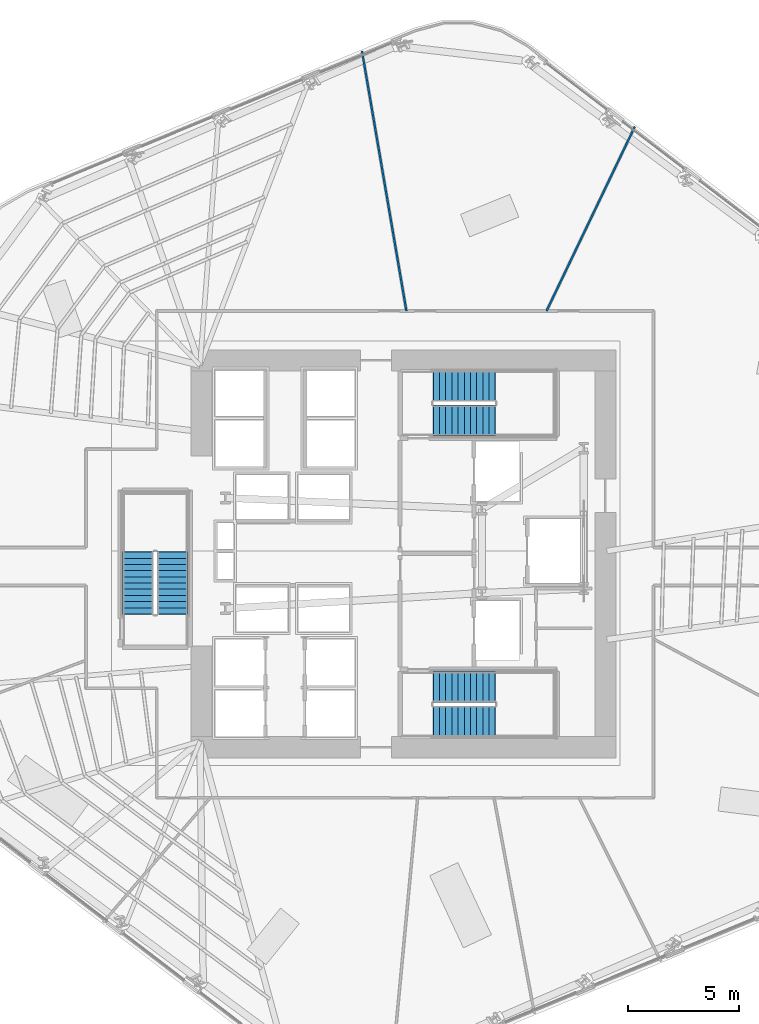
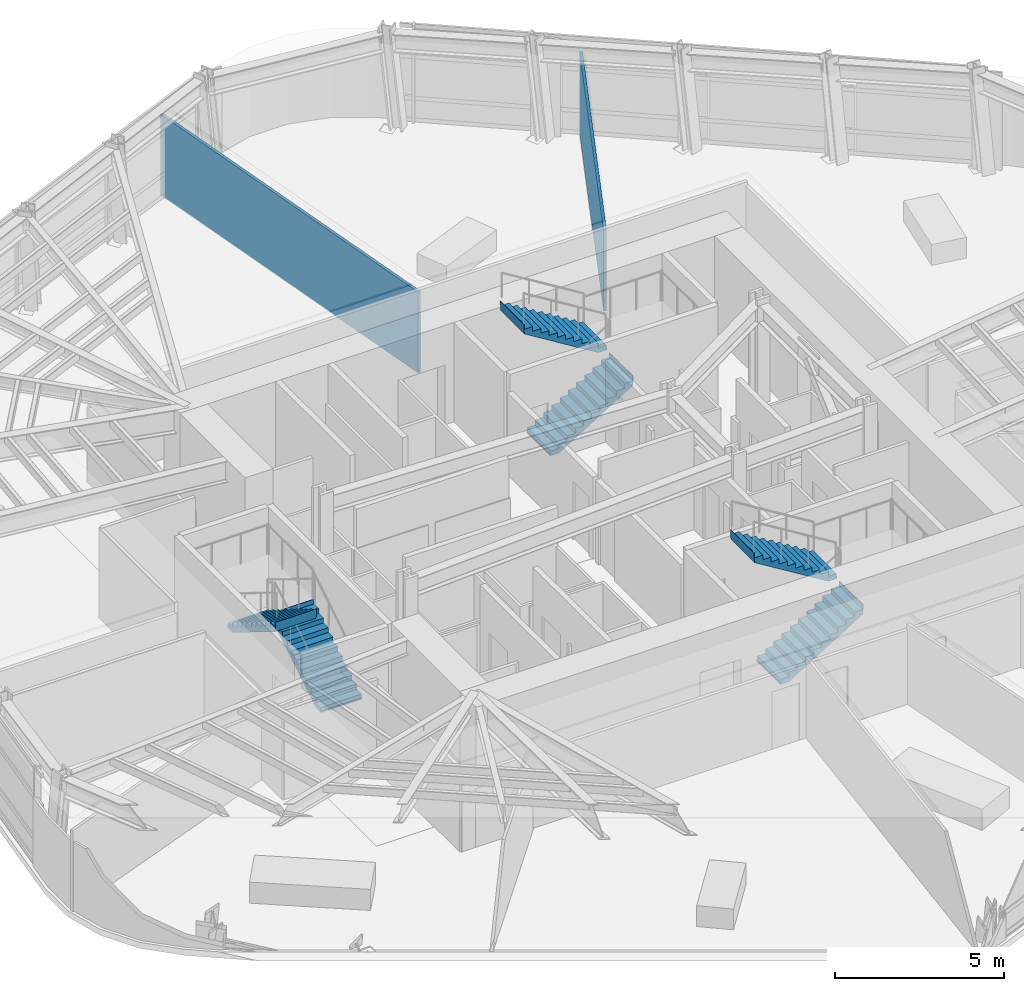
# One storey, part 11 of 18: 6 stair flights, 2 walls, 3 elements without a shape of their own.
"""IFC4 building model written with IfcOpenShell, lengths in metres."""

from ifc_helpers import new_model, si_unit, direction, frame, frame_2d, origin, place, context, subcontext, project, spatial, polyline, rectangle, outline, extrude, material, layer, layer_set, type_object, element, aggregate, save


model = new_model("IFC4")

# Units and contexts
model_context = context("Model", 3, precision=1e-05, world=origin(), true_north=direction((0.0, 1.0)))
body_context = subcontext(model_context, "Body", "Model", "MODEL_VIEW")
ifc_project = project(units=[si_unit("LENGTHUNIT", "METRE"), si_unit("AREAUNIT", "SQUARE_METRE"), si_unit("VOLUMEUNIT", "CUBIC_METRE"), si_unit("PLANEANGLEUNIT", "RADIAN"), si_unit("MASSUNIT", "GRAM", prefix="KILO")], contexts=[model_context])

# Site, building, storey
site_placement = place(None, origin())
site = spatial("IfcSite", under=ifc_project, at=site_placement, CompositionType="ELEMENT")
building_placement = place(site_placement, origin())
building = spatial("IfcBuilding", under=site, at=building_placement, Name="Valkerne Bourse Tower", CompositionType="ELEMENT")
storey_placement = place(building_placement, frame((0.0, 0.0, 120.0)))
storey = spatial("IfcBuildingStorey", under=building, at=storey_placement, Name="L30", CompositionType="ELEMENT", Elevation=120.0)

# Walls
ifc_material_1 = material(Name="Gypsum Board Steel-Stud Partition", Category="steel")
ifc_layer = layer(ifc_material_1, 0.092041015625)
ifc_layer_set = layer_set([ifc_layer], Name="Gypsum Board Steel-Stud Partition")
wall_type = type_object("IfcWallType", Name="W-PART-115", PredefinedType="PARTITIONING", material=ifc_layer_set)
wall_1_placement = place(storey_placement, frame((53.2705078125, 37.85498046875, 0.0), z_axis=(0.0, 0.0, 1.0), x_axis=(0.431848949477, 0.901945943411, 0.0)))
element("IfcWall", 1, at=wall_1_placement, inside=storey, type_object=wall_type, Name="L30 Suite Partition P06", PredefinedType="PARTITIONING", context=body_context, shape_type="SweptSolid", body=[
    extrude(rectangle(XDim=9.24267578125, YDim=0.092041015625, at=frame_2d((4.621337890625, 0.0))), origin(), (0.0, 0.0, 1.0), 2.92236328125),
])
wall_2_placement = place(storey_placement, frame((46.9326171875, 37.85498046875, 0.0), z_axis=(0.0, 0.0, 1.0), x_axis=(-0.168494080791, 0.985702665482, 0.0)))
element("IfcWall", 2, at=wall_2_placement, inside=storey, type_object=wall_type, Name="L30 Suite Partition P07", PredefinedType="PARTITIONING", context=body_context, shape_type="SweptSolid", body=[
    extrude(rectangle(XDim=11.916259765625, YDim=0.092041015625, at=frame_2d((5.9580078125, 0.0))), origin(), (0.0, 0.0, 1.0), 2.92236328125),
])

# Stair, stair flights
ifc_material_2 = material(Name="Concrete C40/50", Category="concrete")
stair_type = type_object("IfcStairType", Name="ST-CORE-1400", PredefinedType="HALF_TURN_STAIR", material=ifc_material_2)
stair_1_placement = place(storey_placement, origin())
stair_1 = element("IfcStair", 3, at=stair_1_placement, inside=storey, type_object=stair_type, Name="L30 ST-1", PredefinedType="HALF_TURN_STAIR")
stair_flight_type = type_object("IfcStairFlightType", Name="STF-CORE-1400", PredefinedType="STRAIGHT", material=ifc_material_2)
stair_flight_1_placement = place(storey_placement, frame((48.14990234375, 19.300048828125, 0.0), z_axis=(0.0, 0.0, 1.0), x_axis=(1.0, 0.0, 0.0)))
stair_flight_1 = element("IfcStairFlight", 4, at=stair_flight_1_placement, type_object=stair_flight_type, Name="ST-1 flight 1", NumberOfRisers=11, NumberOfTreads=10, PredefinedType="STRAIGHT", RiserHeight=0.172727273, TreadLength=0.28, context=body_context, shape_type="SweptSolid", body=[
    extrude(outline(polyline([(-0.02001953125, 0.0), (-0.02001953125, 0.044921875), (0.0, 0.044921875), (0.0, 0.172607421875), (0.280029296875, 0.172607421875), (0.280029296875, 0.345458984375), (0.56005859375, 0.345458984375), (0.56005859375, 0.51806640625), (0.840087890625, 0.51806640625), (0.840087890625, 0.69091796875), (1.1201171875, 0.69091796875), (1.1201171875, 0.863525390625), (1.39990234375, 0.863525390625), (1.39990234375, 1.036376953125), (1.679931640625, 1.036376953125), (1.679931640625, 1.208984375), (1.9599609375, 1.208984375), (1.9599609375, 1.3818359375), (2.239990234375, 1.3818359375), (2.239990234375, 1.554443359375), (2.52001953125, 1.554443359375), (2.52001953125, 1.727294921875), (2.800048828125, 1.727294921875), (2.800048828125, 1.89990234375), (2.820068359375, 1.89990234375), (2.820068359375, 1.780029296875), (2.800048828125, 1.551025390625), (0.285400390625, 0.0), (-0.02001953125, 0.0)])), frame((0.0, 0.699951171875, 0.0), z_axis=(0.0, -1.0, 0.0), x_axis=(1.0, 0.0, 0.0)), (0.0, 0.0, 1.0), 1.39990234375),
])
stair_flight_2_placement = place(storey_placement, frame((50.949951171875, 20.85009765625, 1.89990234375), z_axis=(0.0, 0.0, 1.0), x_axis=(-1.0, 0.0, 0.0)))
stair_flight_2 = element("IfcStairFlight", 5, at=stair_flight_2_placement, type_object=stair_flight_type, Name="ST-1 flight 2", NumberOfRisers=11, NumberOfTreads=10, PredefinedType="STRAIGHT", RiserHeight=0.172727273, TreadLength=0.28, context=body_context, shape_type="SweptSolid", body=[
    extrude(outline(polyline([(-0.02001953125, 0.0), (-0.02001953125, 0.044921875), (0.0, 0.044921875), (0.0, 0.172607421875), (0.280029296875, 0.172607421875), (0.280029296875, 0.345458984375), (0.56005859375, 0.345458984375), (0.56005859375, 0.51806640625), (0.840087890625, 0.51806640625), (0.840087890625, 0.69091796875), (1.1201171875, 0.69091796875), (1.1201171875, 0.863525390625), (1.39990234375, 0.863525390625), (1.39990234375, 1.036376953125), (1.679931640625, 1.036376953125), (1.679931640625, 1.208984375), (1.9599609375, 1.208984375), (1.9599609375, 1.3818359375), (2.239990234375, 1.3818359375), (2.239990234375, 1.554443359375), (2.52001953125, 1.554443359375), (2.52001953125, 1.727294921875), (2.800048828125, 1.727294921875), (2.800048828125, 1.89990234375), (2.820068359375, 1.89990234375), (2.820068359375, 1.780029296875), (2.800048828125, 1.551025390625), (0.285400390625, 0.0), (-0.02001953125, 0.0)])), frame((0.0, 0.699951171875, 0.0), z_axis=(0.0, -1.0, 0.0), x_axis=(1.0, 0.0, 0.0)), (0.0, 0.0, 1.0), 1.39990234375),
])
aggregate(stair_1, [stair_flight_1, stair_flight_2])

stair_2_placement = place(storey_placement, origin())
stair_2 = element("IfcStair", 6, at=stair_2_placement, inside=storey, type_object=stair_type, Name="L30 ST-2", PredefinedType="HALF_TURN_STAIR")
stair_flight_3_placement = place(storey_placement, frame((48.14990234375, 32.89990234375, 0.0), z_axis=(0.0, 0.0, 1.0), x_axis=(1.0, 0.0, 0.0)))
stair_flight_3 = element("IfcStairFlight", 7, at=stair_flight_3_placement, type_object=stair_flight_type, Name="ST-2 flight 1", NumberOfRisers=11, NumberOfTreads=10, PredefinedType="STRAIGHT", RiserHeight=0.172727273, TreadLength=0.28, context=body_context, shape_type="SweptSolid", body=[
    extrude(outline(polyline([(-0.02001953125, 0.0), (-0.02001953125, 0.044921875), (0.0, 0.044921875), (0.0, 0.172607421875), (0.280029296875, 0.172607421875), (0.280029296875, 0.345458984375), (0.56005859375, 0.345458984375), (0.56005859375, 0.51806640625), (0.840087890625, 0.51806640625), (0.840087890625, 0.69091796875), (1.1201171875, 0.69091796875), (1.1201171875, 0.863525390625), (1.39990234375, 0.863525390625), (1.39990234375, 1.036376953125), (1.679931640625, 1.036376953125), (1.679931640625, 1.208984375), (1.9599609375, 1.208984375), (1.9599609375, 1.3818359375), (2.239990234375, 1.3818359375), (2.239990234375, 1.554443359375), (2.52001953125, 1.554443359375), (2.52001953125, 1.727294921875), (2.800048828125, 1.727294921875), (2.800048828125, 1.89990234375), (2.820068359375, 1.89990234375), (2.820068359375, 1.780029296875), (2.800048828125, 1.551025390625), (0.285400390625, 0.0), (-0.02001953125, 0.0)])), frame((0.0, 0.699951171875, 0.0), z_axis=(0.0, -1.0, 0.0), x_axis=(1.0, 0.0, 0.0)), (0.0, 0.0, 1.0), 1.39990234375),
])
stair_flight_4_placement = place(storey_placement, frame((50.949951171875, 34.449951171875, 1.89990234375), z_axis=(0.0, 0.0, 1.0), x_axis=(-1.0, 0.0, 0.0)))
stair_flight_4 = element("IfcStairFlight", 8, at=stair_flight_4_placement, type_object=stair_flight_type, Name="ST-2 flight 2", NumberOfRisers=11, NumberOfTreads=10, PredefinedType="STRAIGHT", RiserHeight=0.172727273, TreadLength=0.28, context=body_context, shape_type="SweptSolid", body=[
    extrude(outline(polyline([(-0.02001953125, 0.0), (-0.02001953125, 0.044921875), (0.0, 0.044921875), (0.0, 0.172607421875), (0.280029296875, 0.172607421875), (0.280029296875, 0.345458984375), (0.56005859375, 0.345458984375), (0.56005859375, 0.51806640625), (0.840087890625, 0.51806640625), (0.840087890625, 0.69091796875), (1.1201171875, 0.69091796875), (1.1201171875, 0.863525390625), (1.39990234375, 0.863525390625), (1.39990234375, 1.036376953125), (1.679931640625, 1.036376953125), (1.679931640625, 1.208984375), (1.9599609375, 1.208984375), (1.9599609375, 1.3818359375), (2.239990234375, 1.3818359375), (2.239990234375, 1.554443359375), (2.52001953125, 1.554443359375), (2.52001953125, 1.727294921875), (2.800048828125, 1.727294921875), (2.800048828125, 1.89990234375), (2.820068359375, 1.89990234375), (2.820068359375, 1.780029296875), (2.800048828125, 1.551025390625), (0.285400390625, 0.0), (-0.02001953125, 0.0)])), frame((0.0, 0.699951171875, 0.0), z_axis=(0.0, -1.0, 0.0), x_axis=(1.0, 0.0, 0.0)), (0.0, 0.0, 1.0), 1.39990234375),
])
aggregate(stair_2, [stair_flight_3, stair_flight_4])

stair_3_placement = place(storey_placement, origin())
stair_3 = element("IfcStair", 9, at=stair_3_placement, inside=storey, type_object=stair_type, Name="L30 ST-3", PredefinedType="HALF_TURN_STAIR")
stair_flight_5_placement = place(storey_placement, frame((36.35009765625, 24.14990234375, 0.0), z_axis=(0.0, 0.0, 1.0), x_axis=(0.0, 1.0, 0.0)))
stair_flight_5 = element("IfcStairFlight", 10, at=stair_flight_5_placement, type_object=stair_flight_type, Name="ST-3 flight 1", NumberOfRisers=11, NumberOfTreads=10, PredefinedType="STRAIGHT", RiserHeight=0.172727273, TreadLength=0.28, context=body_context, shape_type="SweptSolid", body=[
    extrude(outline(polyline([(-0.02001953125, 0.0), (-0.02001953125, 0.044921875), (0.0, 0.044921875), (0.0, 0.172607421875), (0.280029296875, 0.172607421875), (0.280029296875, 0.345458984375), (0.56005859375, 0.345458984375), (0.56005859375, 0.51806640625), (0.840087890625, 0.51806640625), (0.840087890625, 0.69091796875), (1.1201171875, 0.69091796875), (1.1201171875, 0.863525390625), (1.39990234375, 0.863525390625), (1.39990234375, 1.036376953125), (1.679931640625, 1.036376953125), (1.679931640625, 1.208984375), (1.9599609375, 1.208984375), (1.9599609375, 1.3818359375), (2.239990234375, 1.3818359375), (2.239990234375, 1.554443359375), (2.52001953125, 1.554443359375), (2.52001953125, 1.727294921875), (2.800048828125, 1.727294921875), (2.800048828125, 1.89990234375), (2.820068359375, 1.89990234375), (2.820068359375, 1.780029296875), (2.800048828125, 1.551025390625), (0.285400390625, 0.0), (-0.02001953125, 0.0)])), frame((0.0, 0.699951171875, 0.0), z_axis=(0.0, -1.0, 0.0), x_axis=(1.0, 0.0, 0.0)), (0.0, 0.0, 1.0), 1.39990234375),
])
stair_flight_6_placement = place(storey_placement, frame((34.800048828125, 26.949951171875, 1.89990234375), z_axis=(0.0, 0.0, 1.0), x_axis=(0.0, -1.0, 0.0)))
stair_flight_6 = element("IfcStairFlight", 11, at=stair_flight_6_placement, type_object=stair_flight_type, Name="ST-3 flight 2", NumberOfRisers=11, NumberOfTreads=10, PredefinedType="STRAIGHT", RiserHeight=0.172727273, TreadLength=0.28, context=body_context, shape_type="SweptSolid", body=[
    extrude(outline(polyline([(-0.02001953125, 0.0), (-0.02001953125, 0.044921875), (0.0, 0.044921875), (0.0, 0.172607421875), (0.280029296875, 0.172607421875), (0.280029296875, 0.345458984375), (0.56005859375, 0.345458984375), (0.56005859375, 0.51806640625), (0.840087890625, 0.51806640625), (0.840087890625, 0.69091796875), (1.1201171875, 0.69091796875), (1.1201171875, 0.863525390625), (1.39990234375, 0.863525390625), (1.39990234375, 1.036376953125), (1.679931640625, 1.036376953125), (1.679931640625, 1.208984375), (1.9599609375, 1.208984375), (1.9599609375, 1.3818359375), (2.239990234375, 1.3818359375), (2.239990234375, 1.554443359375), (2.52001953125, 1.554443359375), (2.52001953125, 1.727294921875), (2.800048828125, 1.727294921875), (2.800048828125, 1.89990234375), (2.820068359375, 1.89990234375), (2.820068359375, 1.780029296875), (2.800048828125, 1.551025390625), (0.285400390625, 0.0), (-0.02001953125, 0.0)])), frame((0.0, 0.699951171875, 0.0), z_axis=(0.0, -1.0, 0.0), x_axis=(1.0, 0.0, 0.0)), (0.0, 0.0, 1.0), 1.39990234375),
])
aggregate(stair_3, [stair_flight_5, stair_flight_6])

save(model, "model.ifc")
